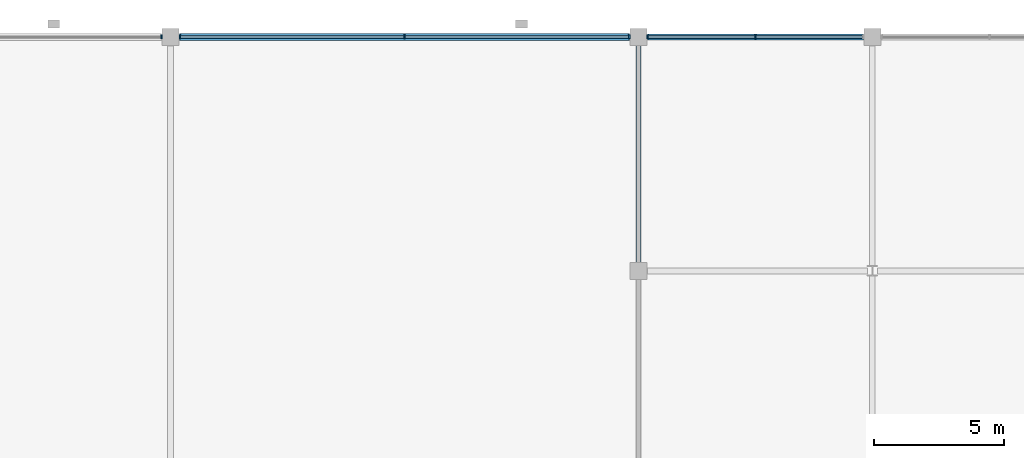
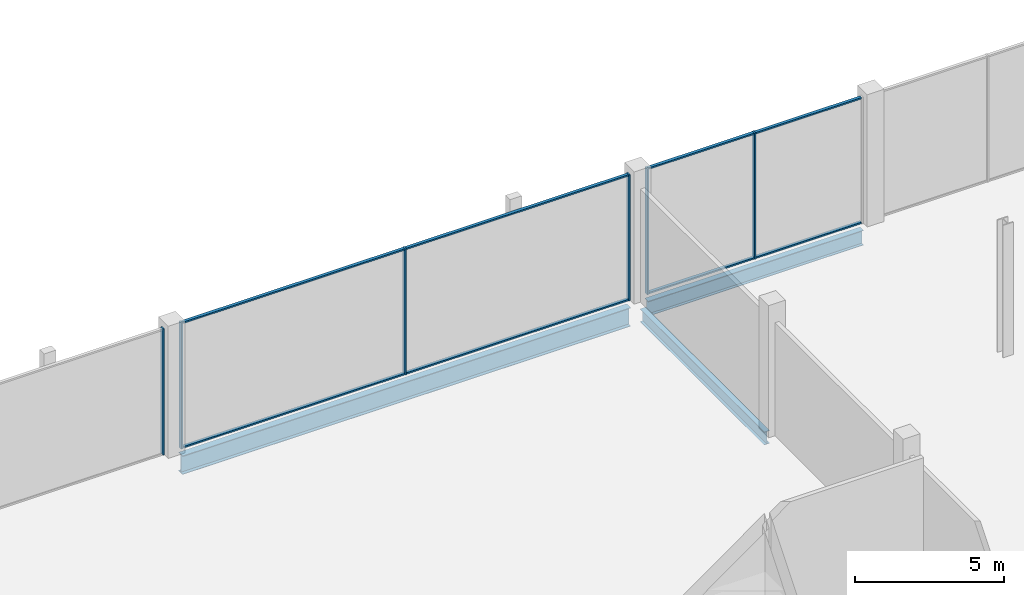
# One storey, part 56 of 113: 14 members, 3 beams, 3 elements without a shape of their own.
"""IFC4 building model written with IfcOpenShell, lengths in metres."""

from ifc_helpers import new_model, si_unit, direction, frame, origin, origin_2d, place, context, subcontext, project, spatial, rectangle, i_section, extrude, material, layer, layer_set, material_profile, profile_set, type_object, element, aggregate, save


model = new_model("IFC4")

# Units and contexts
model_context = context("Model", 3, precision=1e-05, world=origin(), true_north=direction((0.0, 1.0)))
body_context = subcontext(model_context, "Body", "Model", "MODEL_VIEW")
ifc_project = project(units=[si_unit("LENGTHUNIT", "METRE"), si_unit("AREAUNIT", "SQUARE_METRE"), si_unit("VOLUMEUNIT", "CUBIC_METRE"), si_unit("PLANEANGLEUNIT", "RADIAN"), si_unit("MASSUNIT", "GRAM", prefix="KILO")], contexts=[model_context])

# Site, building, storey
site_placement = place(None, origin())
site = spatial("IfcSite", under=ifc_project, at=site_placement, CompositionType="ELEMENT")
building_placement = place(site_placement, origin())
building = spatial("IfcBuilding", under=site, at=building_placement, Name="Kisiwana Market Hall", CompositionType="ELEMENT")
storey_placement = place(building_placement, frame((0.0, 0.0, 6.0)))
storey = spatial("IfcBuildingStorey", under=building, at=storey_placement, Name="L01", CompositionType="ELEMENT", Elevation=6.0)

# Beams
ifc_material_1 = material(Name="Steel S355", Category="steel")
ifc_material_profile_1 = material_profile(ifc_material_1, i_section(OverallWidth=0.209228515625, OverallDepth=0.533203125, WebThickness=0.010009765625, FlangeThickness=0.015625, at=origin_2d()), Name="UB 533x210x92")
ifc_profile_set_1 = profile_set([ifc_material_profile_1], Name="Steel S355")
beam_type_1 = type_object("IfcBeamType", Name="BM-GIRD-UB533", PredefinedType="BEAM", material=ifc_profile_set_1)
beam_1_placement = place(storey_placement, frame((153.0, 111.345947265625, -0.5166015625), z_axis=(0.0, 1.0, 0.0), x_axis=(-1.0, 0.0, 0.0)))
element("IfcBeam", 1, at=beam_1_placement, inside=storey, type_object=beam_type_1, Name="Primary girder B-0398", PredefinedType="BEAM", context=body_context, shape_type="SweptSolid", body=[
    extrude(i_section(OverallWidth=0.209228515625, OverallDepth=0.533203125, WebThickness=0.010009765625, FlangeThickness=0.015625, at=origin_2d()), origin(), (0.0, 0.0, 1.0), 8.30810546875),
])
ifc_material_2 = material(Name="Steel S355", Category="steel")
ifc_material_profile_2 = material_profile(ifc_material_2, i_section(OverallWidth=0.22900390625, OverallDepth=0.6123046875, WebThickness=0.011962890625, FlangeThickness=0.01953125, at=origin_2d()), Name="UB 610x229x125")
ifc_profile_set_2 = profile_set([ifc_material_profile_2], Name="Steel S355")
beam_type_2 = type_object("IfcBeamType", Name="BM-GIRD-UB610H", PredefinedType="BEAM", material=ifc_profile_set_2)
beam_2_placement = place(storey_placement, frame((153.345947265625, 120.0, -0.55615234375), z_axis=(1.0, 0.0, 0.0), x_axis=(0.0, 1.0, 0.0)))
element("IfcBeam", 2, at=beam_2_placement, inside=storey, type_object=beam_type_2, Name="Floor beam B-0551", PredefinedType="BEAM", context=body_context, shape_type="SweptSolid", body=[
    extrude(i_section(OverallWidth=0.22900390625, OverallDepth=0.6123046875, WebThickness=0.011962890625, FlangeThickness=0.01953125, at=origin_2d()), origin(), (0.0, 0.0, 1.0), 8.30810546875),
])
ifc_material_3 = material(Name="Steel S355", Category="steel")
ifc_material_profile_3 = material_profile(ifc_material_3, i_section(OverallWidth=0.2666015625, OverallDepth=0.76220703125, WebThickness=0.014404296875, FlangeThickness=0.021484375, at=origin_2d()), Name="UB 762x267x173")
ifc_profile_set_3 = profile_set([ifc_material_profile_3], Name="Steel S355")
beam_type_3 = type_object("IfcBeamType", Name="BM-GIRD-UB762", PredefinedType="BEAM", material=ifc_profile_set_3)
beam_3_placement = place(storey_placement, frame((135.345947265625, 120.0, -0.631103515625), z_axis=(1.0, 0.0, 0.0), x_axis=(0.0, 1.0, 0.0)))
element("IfcBeam", 3, at=beam_3_placement, inside=storey, type_object=beam_type_3, Name="Floor beam B-0550", PredefinedType="BEAM", context=body_context, shape_type="SweptSolid", body=[
    extrude(i_section(OverallWidth=0.2666015625, OverallDepth=0.76220703125, WebThickness=0.014404296875, FlangeThickness=0.021484375, at=origin_2d()), origin(), (0.0, 0.0, 1.0), 17.30810546875),
])

# Curtain wall, member
ifc_material_4 = material(Name="Double-glazed solar-control low-E IGU", Category="glass")
ifc_layer = layer(ifc_material_4, 0.159912109375)
ifc_layer_set = layer_set([ifc_layer], Name="CW-FC-N-8100")
curtain_wall_type = type_object("IfcCurtainWallType", Name="CW-FC-N-8100", PredefinedType="USERDEFINED", material=ifc_layer_set)
curtain_wall_1_placement = place(storey_placement, origin())
curtain_wall_1 = element("IfcCurtainWall", 4, at=curtain_wall_1_placement, inside=storey, type_object=curtain_wall_type, Name="Unitised curtain wall CW-040 (L01)", ObjectType="UNITISED CURTAIN WALL", PredefinedType="USERDEFINED")
ifc_material_5 = material(Name="Aluminium alloy 6063-T6", Category="aluminium")
ifc_material_profile_4 = material_profile(ifc_material_5, rectangle(XDim=0.06005859375, YDim=0.159912109375, at=origin_2d()), Name="ALU MULLION 60x160")
ifc_profile_set_4 = profile_set([ifc_material_profile_4], Name="Aluminium alloy 6063-T6")
member_type_1 = type_object("IfcMemberType", Name="CW-MULL-60x160", PredefinedType="MULLION", material=ifc_profile_set_4)
member_1_placement = place(storey_placement, frame((134.64501953125, 120.0, 0.0), z_axis=(0.0, 0.0, 1.0), x_axis=(1.0, 0.0, 0.0)))
member_1 = element("IfcMember", 5, at=member_1_placement, type_object=member_type_1, Name="CW-040 mullion 3", PredefinedType="MULLION", context=body_context, shape_type="SweptSolid", body=[
    extrude(rectangle(XDim=0.06005859375, YDim=0.159912109375, at=origin_2d()), origin(), (0.0, 0.0, 1.0), 5.14990234375),
])
aggregate(curtain_wall_1, [member_1])

# Curtain wall, members
curtain_wall_2_placement = place(storey_placement, origin())
curtain_wall_2 = element("IfcCurtainWall", 6, at=curtain_wall_2_placement, inside=storey, type_object=curtain_wall_type, Name="Unitised curtain wall CW-041 (L01)", ObjectType="UNITISED CURTAIN WALL", PredefinedType="USERDEFINED")
member_2_placement = place(storey_placement, frame((135.35498046875, 120.0, 0.0), z_axis=(0.0, 0.0, 1.0), x_axis=(1.0, 0.0, 0.0)))
member_2 = element("IfcMember", 7, at=member_2_placement, type_object=member_type_1, Name="CW-041 mullion 1", PredefinedType="MULLION", context=body_context, shape_type="SweptSolid", body=[
    extrude(rectangle(XDim=0.06005859375, YDim=0.159912109375, at=origin_2d()), origin(), (0.0, 0.0, 1.0), 5.14990234375),
])
member_3_placement = place(storey_placement, frame((144.0, 120.0, 0.0), z_axis=(0.0, 0.0, 1.0), x_axis=(1.0, 0.0, 0.0)))
member_3 = element("IfcMember", 8, at=member_3_placement, type_object=member_type_1, Name="CW-041 mullion 2", PredefinedType="MULLION", context=body_context, shape_type="SweptSolid", body=[
    extrude(rectangle(XDim=0.06005859375, YDim=0.159912109375, at=origin_2d()), origin(), (0.0, 0.0, 1.0), 5.14990234375),
])
member_4_placement = place(storey_placement, frame((152.64501953125, 120.0, 0.0), z_axis=(0.0, 0.0, 1.0), x_axis=(1.0, 0.0, 0.0)))
member_4 = element("IfcMember", 9, at=member_4_placement, type_object=member_type_1, Name="CW-041 mullion 3", PredefinedType="MULLION", context=body_context, shape_type="SweptSolid", body=[
    extrude(rectangle(XDim=0.06005859375, YDim=0.159912109375, at=origin_2d()), origin(), (0.0, 0.0, 1.0), 5.14990234375),
])

curtain_wall_3_placement = place(storey_placement, origin())
curtain_wall_3 = element("IfcCurtainWall", 10, at=curtain_wall_3_placement, inside=storey, type_object=curtain_wall_type, Name="Unitised curtain wall CW-042 (L01)", ObjectType="UNITISED CURTAIN WALL", PredefinedType="USERDEFINED")
member_5_placement = place(storey_placement, frame((153.35498046875, 120.0, 0.0), z_axis=(0.0, 0.0, 1.0), x_axis=(1.0, 0.0, 0.0)))
member_5 = element("IfcMember", 11, at=member_5_placement, type_object=member_type_1, Name="CW-042 mullion 1", PredefinedType="MULLION", context=body_context, shape_type="SweptSolid", body=[
    extrude(rectangle(XDim=0.06005859375, YDim=0.159912109375, at=origin_2d()), origin(), (0.0, 0.0, 1.0), 5.14990234375),
])
member_6_placement = place(storey_placement, frame((157.5, 120.0, 0.0), z_axis=(0.0, 0.0, 1.0), x_axis=(1.0, 0.0, 0.0)))
member_6 = element("IfcMember", 12, at=member_6_placement, type_object=member_type_1, Name="CW-042 mullion 2", PredefinedType="MULLION", context=body_context, shape_type="SweptSolid", body=[
    extrude(rectangle(XDim=0.06005859375, YDim=0.159912109375, at=origin_2d()), origin(), (0.0, 0.0, 1.0), 5.14990234375),
])

# Member
ifc_material_6 = material(Name="Aluminium alloy 6063-T6", Category="aluminium")
ifc_material_profile_5 = material_profile(ifc_material_6, rectangle(XDim=0.1201171875, YDim=0.06005859375, at=origin_2d()), Name="ALU TRANSOM 60x120")
ifc_profile_set_5 = profile_set([ifc_material_profile_5], Name="Aluminium alloy 6063-T6")
member_type_2 = type_object("IfcMemberType", Name="CW-TRAN-60x120", PredefinedType="USERDEFINED", material=ifc_profile_set_5)
member_7_placement = place(storey_placement, frame((135.385009765625, 120.0, 0.030029296875), z_axis=(1.0, 0.0, 0.0), x_axis=(0.0, 1.0, 0.0)))
member_7 = element("IfcMember", 13, at=member_7_placement, type_object=member_type_2, Name="CW-041 transom 1.1", ObjectType="TRANSOM", PredefinedType="USERDEFINED", context=body_context, shape_type="SweptSolid", body=[
    extrude(rectangle(XDim=0.1201171875, YDim=0.06005859375, at=origin_2d()), origin(), (0.0, 0.0, 1.0), 8.5849609375),
])

member_8_placement = place(storey_placement, frame((135.385009765625, 120.0, 5.1201171875), z_axis=(1.0, 0.0, 0.0), x_axis=(0.0, 1.0, 0.0)))
member_8 = element("IfcMember", 14, at=member_8_placement, type_object=member_type_2, Name="CW-041 transom 1.2", ObjectType="TRANSOM", PredefinedType="USERDEFINED", context=body_context, shape_type="SweptSolid", body=[
    extrude(rectangle(XDim=0.1201171875, YDim=0.06005859375, at=origin_2d()), origin(), (0.0, 0.0, 1.0), 8.5849609375),
])

member_9_placement = place(storey_placement, frame((144.030029296875, 120.0, 0.030029296875), z_axis=(1.0, 0.0, 0.0), x_axis=(0.0, 1.0, 0.0)))
member_9 = element("IfcMember", 15, at=member_9_placement, type_object=member_type_2, Name="CW-041 transom 2.1", ObjectType="TRANSOM", PredefinedType="USERDEFINED", context=body_context, shape_type="SweptSolid", body=[
    extrude(rectangle(XDim=0.1201171875, YDim=0.06005859375, at=origin_2d()), origin(), (0.0, 0.0, 1.0), 8.5849609375),
])

member_10_placement = place(storey_placement, frame((144.030029296875, 120.0, 5.1201171875), z_axis=(1.0, 0.0, 0.0), x_axis=(0.0, 1.0, 0.0)))
member_10 = element("IfcMember", 16, at=member_10_placement, type_object=member_type_2, Name="CW-041 transom 2.2", ObjectType="TRANSOM", PredefinedType="USERDEFINED", context=body_context, shape_type="SweptSolid", body=[
    extrude(rectangle(XDim=0.1201171875, YDim=0.06005859375, at=origin_2d()), origin(), (0.0, 0.0, 1.0), 8.5849609375),
])

aggregate(curtain_wall_2, [member_2, member_3, member_4, member_7, member_8, member_9, member_10])

member_11_placement = place(storey_placement, frame((153.385009765625, 120.0, 0.030029296875), z_axis=(1.0, 0.0, 0.0), x_axis=(0.0, 1.0, 0.0)))
member_11 = element("IfcMember", 17, at=member_11_placement, type_object=member_type_2, Name="CW-042 transom 1.1", ObjectType="TRANSOM", PredefinedType="USERDEFINED", context=body_context, shape_type="SweptSolid", body=[
    extrude(rectangle(XDim=0.1201171875, YDim=0.06005859375, at=origin_2d()), origin(), (0.0, 0.0, 1.0), 4.0849609375),
])

member_12_placement = place(storey_placement, frame((153.385009765625, 120.0, 5.1201171875), z_axis=(1.0, 0.0, 0.0), x_axis=(0.0, 1.0, 0.0)))
member_12 = element("IfcMember", 18, at=member_12_placement, type_object=member_type_2, Name="CW-042 transom 1.2", ObjectType="TRANSOM", PredefinedType="USERDEFINED", context=body_context, shape_type="SweptSolid", body=[
    extrude(rectangle(XDim=0.1201171875, YDim=0.06005859375, at=origin_2d()), origin(), (0.0, 0.0, 1.0), 4.0849609375),
])

member_13_placement = place(storey_placement, frame((157.530029296875, 120.0, 0.030029296875), z_axis=(1.0, 0.0, 0.0), x_axis=(0.0, 1.0, 0.0)))
member_13 = element("IfcMember", 19, at=member_13_placement, type_object=member_type_2, Name="CW-042 transom 2.1", ObjectType="TRANSOM", PredefinedType="USERDEFINED", context=body_context, shape_type="SweptSolid", body=[
    extrude(rectangle(XDim=0.1201171875, YDim=0.06005859375, at=origin_2d()), origin(), (0.0, 0.0, 1.0), 4.0849609375),
])

member_14_placement = place(storey_placement, frame((157.530029296875, 120.0, 5.1201171875), z_axis=(1.0, 0.0, 0.0), x_axis=(0.0, 1.0, 0.0)))
member_14 = element("IfcMember", 20, at=member_14_placement, type_object=member_type_2, Name="CW-042 transom 2.2", ObjectType="TRANSOM", PredefinedType="USERDEFINED", context=body_context, shape_type="SweptSolid", body=[
    extrude(rectangle(XDim=0.1201171875, YDim=0.06005859375, at=origin_2d()), origin(), (0.0, 0.0, 1.0), 4.0849609375),
])

aggregate(curtain_wall_3, [member_5, member_6, member_11, member_12, member_13, member_14])

save(model, "model.ifc")
